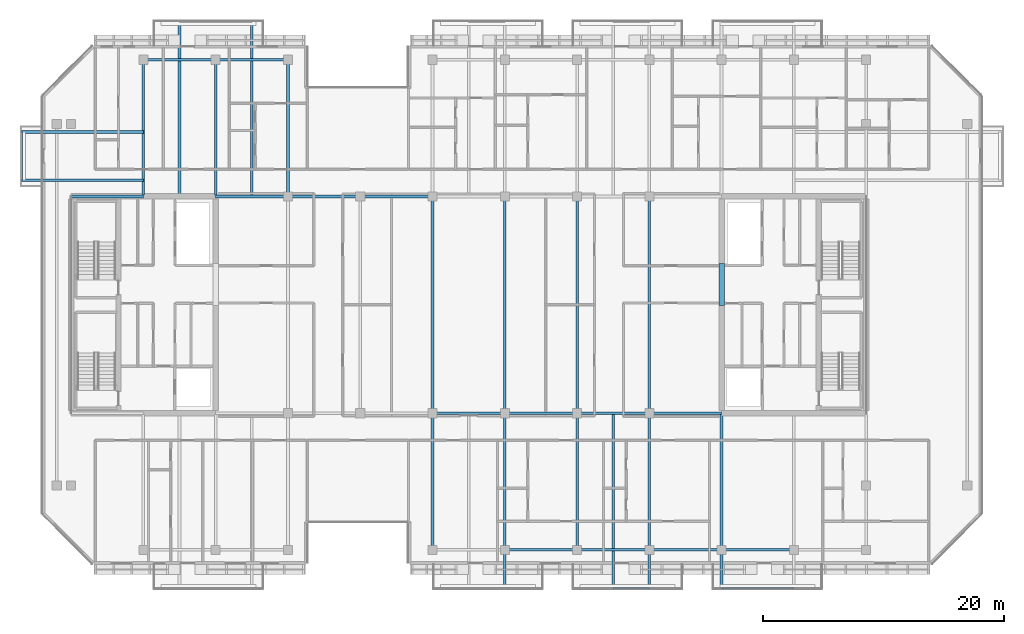
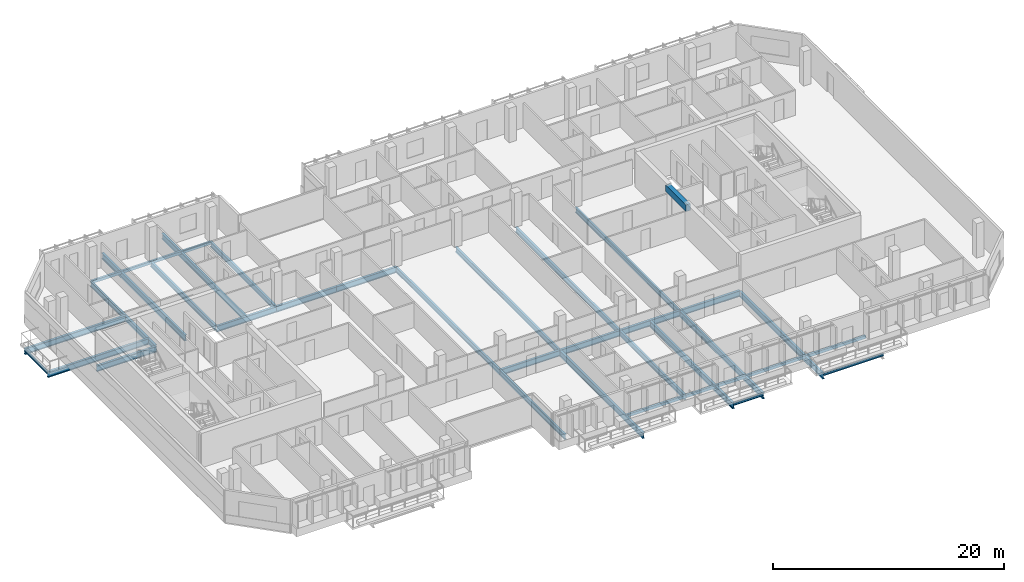
# One storey, part 5 of 23: 35 beams.
"""IFC4 building model written with IfcOpenShell, lengths in metres."""

import ifcopenshell
import ifcopenshell.guid

model = None  # the IFC model being written
_history = None  # IfcOwnerHistory: only IFC2X3 demands one
_inside = {}  # id of a spatial element -> (the spatial element, [elements in it])
_under = {}  # id of a project, library or spatial element -> (it, [spatial elements below it])
_declared = {}  # id of a project -> (the project, [libraries it declares])
_typed = {}  # id of a type object -> (the type object, [elements of that type])
_made_of = {}  # id of a material, layer set ... -> (it, [elements and type objects made of it])


def new_model(schema):
    """Start an empty IFC model of exactly this schema.

    Asked for "IFC4X3", IfcOpenShell would pick the latest addendum, in which some entities
    have other attributes; the version numbers below select the first issue.
    IFC2X3 requires an IfcOwnerHistory on every rooted entity: one is made here for all.
    """
    global model, _history
    if schema == "IFC4X3":
        model = ifcopenshell.file(schema_version=(4, 3, 0, 0))
    else:
        model = ifcopenshell.file(schema=schema)
    _inside.clear()
    _under.clear()
    _declared.clear()
    _typed.clear()
    _made_of.clear()
    _history = None
    if model.schema == "IFC2X3":
        org = make("IfcOrganization", Name="unknown")
        user = make(
            "IfcPersonAndOrganization",
            ThePerson=make("IfcPerson", FamilyName="unknown"),
            TheOrganization=org,
        )
        app = make(
            "IfcApplication",
            ApplicationDeveloper=org,
            Version="unknown",
            ApplicationFullName="unknown",
            ApplicationIdentifier="unknown",
        )
        _history = make(
            "IfcOwnerHistory",
            OwningUser=user,
            OwningApplication=app,
            ChangeAction="ADDED",
            CreationDate=0,
        )
    return model


def make(cls, **values):
    """One entity of the class cls with the attributes given. An attribute that is None is left unset."""
    return model.create_entity(
        cls, **{name: value for name, value in values.items() if value is not None}
    )


def rooted(cls, **values):
    """An entity with a GlobalId (a new one), such as an element, a storey or a relation."""
    return make(cls, GlobalId=ifcopenshell.guid.new(), OwnerHistory=_history, **values)


def si_unit(unit_type, name, prefix=None):
    """IfcSIUnit, for example si_unit("LENGTHUNIT", "METRE", prefix="MILLI")."""
    return make("IfcSIUnit", UnitType=unit_type, Prefix=prefix, Name=name)


def assignment(units):
    """IfcUnitAssignment: the units of a project."""
    return None if units is None else make("IfcUnitAssignment", Units=units)


def point(xyz):
    """IfcCartesianPoint."""
    return None if xyz is None else make("IfcCartesianPoint", Coordinates=xyz)


def direction(xyz):
    """IfcDirection."""
    return None if xyz is None else make("IfcDirection", DirectionRatios=xyz)


def frame(location, z_axis=None, x_axis=None):
    """IfcAxis2Placement3D, a coordinate frame: its origin and axes. An axis left out is left unset."""
    return make(
        "IfcAxis2Placement3D",
        Location=point(location),
        Axis=direction(z_axis),
        RefDirection=direction(x_axis),
    )


def frame_2d(location, x_axis=None):
    """IfcAxis2Placement2D, a coordinate frame in the plane: its origin and x axis."""
    return make(
        "IfcAxis2Placement2D", Location=point(location), RefDirection=direction(x_axis)
    )


def origin():
    """The frame at (0, 0, 0) with its axes left unset."""
    return frame((0.0, 0.0, 0.0))


def origin_2d():
    """The frame at (0, 0) in the plane with its x axis left unset."""
    return frame_2d((0.0, 0.0))


def place(relative_to, where):
    """IfcLocalPlacement: puts the frame where relative to a parent placement (None: the world)."""
    return make(
        "IfcLocalPlacement", PlacementRelTo=relative_to, RelativePlacement=where
    )


def context(
    kind, dimensions, precision=None, world=None, true_north=None, identifier=None
):
    """IfcGeometricRepresentationContext, for example the 3D "Model" context."""
    return make(
        "IfcGeometricRepresentationContext",
        ContextIdentifier=identifier,
        ContextType=kind,
        CoordinateSpaceDimension=dimensions,
        Precision=precision,
        WorldCoordinateSystem=world,
        TrueNorth=true_north,
    )


def subcontext(parent, identifier, kind, view, scale=None):
    """IfcGeometricRepresentationSubContext, for example "Body" below "Model"."""
    return make(
        "IfcGeometricRepresentationSubContext",
        ContextIdentifier=identifier,
        ContextType=kind,
        ParentContext=parent,
        TargetScale=scale,
        TargetView=view,
    )


def project(units=None, contexts=None):
    """IfcProject with its units and contexts."""
    return rooted(
        "IfcProject",
        Name="project",
        RepresentationContexts=contexts,
        UnitsInContext=assignment(units),
    )


def spatial(cls, under=None, at=None, **own):
    """A site, building, storey or space (cls), placed at a placement, below another one or the project."""
    s = rooted(cls, ObjectPlacement=at, **own)
    if under is not None:
        _under.setdefault(under.id(), (under, []))[1].append(s)
    return s


def profile(cls, at=None, kind="AREA", **sizes):
    """A parametric profile (cls). Its sizes go by their IFC names, for example OverallWidth=200.0."""
    return make(cls, ProfileType=kind, Position=at, **sizes)


def rectangle(**sizes):
    """IfcRectangleProfileDef."""
    return profile("IfcRectangleProfileDef", **sizes)


def hollow_rectangle(**sizes):
    """IfcRectangleHollowProfileDef."""
    return profile("IfcRectangleHollowProfileDef", **sizes)


def i_section(**sizes):
    """IfcIShapeProfileDef."""
    return profile("IfcIShapeProfileDef", **sizes)


def extrude(swept, where, along, depth):
    """IfcExtrudedAreaSolid: the profile swept, set in the frame where, extruded along a direction by depth."""
    return make(
        "IfcExtrudedAreaSolid",
        SweptArea=swept,
        Position=where,
        ExtrudedDirection=direction(along),
        Depth=depth,
    )


def shape(context_of_items, identifier, shape_type, items):
    """IfcShapeRepresentation: the items that make up one representation, for example the "Body"."""
    return make(
        "IfcShapeRepresentation",
        ContextOfItems=context_of_items,
        RepresentationIdentifier=identifier,
        RepresentationType=shape_type,
        Items=items,
    )


def material(Name=None, Category=None):
    """IfcMaterial."""
    return make("IfcMaterial", Name=Name, Category=Category)


def material_profile(
    of_material, cross_section, Name=None, Category=None, Priority=None
):
    """IfcMaterialProfile: a cross section and its material."""
    return make(
        "IfcMaterialProfile",
        Name=Name,
        Material=of_material,
        Profile=cross_section,
        Priority=Priority,
        Category=Category,
    )


def profile_set(profiles, Name=None, composite=None):
    """IfcMaterialProfileSet."""
    return make(
        "IfcMaterialProfileSet",
        Name=Name,
        MaterialProfiles=profiles,
        CompositeProfile=composite,
    )


def made_of(thing, what):
    """Note that an element or type object is made of a material, layer set ...; save() writes the relation."""
    if what is not None:
        _made_of.setdefault(what.id(), (what, []))[1].append(thing)
    return thing


def type_object(cls, material=None, **own):
    """A type object (cls), such as IfcWallType, which elements share."""
    return made_of(rooted(cls, **own), material)


def element(
    cls,
    number,
    at=None,
    inside=None,
    cuts=None,
    type_object=None,
    material=None,
    context=None,
    identifier="Body",
    shape_type=None,
    held_by="IfcProductDefinitionShape",
    body=None,
    shapes=None,
    **own,
):
    """One element of the class cls, such as IfcWall. Its Tag is "e" and its number.

    at: its placement. inside: the storey or other place that contains it. cuts: it is an
    opening in that element (IfcRelVoidsElement). A single representation is given by context,
    identifier, shape_type and body (its items); several are given by shapes. held_by: the class
    of the entity that holds the representations. save() writes the other relations.
    """
    e = rooted(cls, Tag="e%d" % number, ObjectPlacement=at, **own)
    if body is not None:
        shapes = [shape(context, identifier, shape_type, body)]
    if shapes is not None:
        e.Representation = make(held_by, Representations=shapes)
    if inside is not None:
        _inside.setdefault(inside.id(), (inside, []))[1].append(e)
    if cuts is not None:
        rooted(
            "IfcRelVoidsElement", RelatingBuildingElement=cuts, RelatedOpeningElement=e
        )
    if type_object is not None:
        _typed.setdefault(type_object.id(), (type_object, []))[1].append(e)
    return made_of(e, material)


def aggregate(whole, parts):
    """IfcRelAggregates: a whole, such as a stair, and the parts it consists of."""
    return rooted("IfcRelAggregates", RelatingObject=whole, RelatedObjects=parts)


def save(model, path):
    """Write the relations noted so far, then the file.

    IfcRelAggregates (storeys below a building ...), IfcRelContainedInSpatialStructure (elements
    in a storey), IfcRelDefinesByType, IfcRelAssociatesMaterial and IfcRelDeclares: one each for
    every whole, place, type object, material and project.
    """
    for whole, parts in _under.values():
        aggregate(whole, parts)
    for where, things in _inside.values():
        rooted(
            "IfcRelContainedInSpatialStructure",
            RelatedElements=things,
            RelatingStructure=where,
        )
    for kind, things in _typed.values():
        rooted("IfcRelDefinesByType", RelatedObjects=things, RelatingType=kind)
    for what, things in _made_of.values():
        rooted("IfcRelAssociatesMaterial", RelatedObjects=things, RelatingMaterial=what)
    for by, libraries in _declared.values():
        rooted("IfcRelDeclares", RelatingContext=by, RelatedDefinitions=libraries)
    model.write(path)


model = new_model("IFC4")

# Units and contexts
model_context = context("Model", 3, precision=1e-05, world=origin(), true_north=direction((0.0, 1.0)))
body_context = subcontext(model_context, "Body", "Model", "MODEL_VIEW")
ifc_project = project(units=[si_unit("LENGTHUNIT", "METRE"), si_unit("AREAUNIT", "SQUARE_METRE"), si_unit("VOLUMEUNIT", "CUBIC_METRE"), si_unit("PLANEANGLEUNIT", "RADIAN"), si_unit("MASSUNIT", "GRAM", prefix="KILO")], contexts=[model_context])

# Site, building, storey
site_placement = place(None, origin())
site = spatial("IfcSite", under=ifc_project, at=site_placement, CompositionType="ELEMENT")
building_placement = place(site_placement, origin())
building = spatial("IfcBuilding", under=site, at=building_placement, Name="Tanjung Sevakor Pilgrim Tower", CompositionType="ELEMENT")
storey_placement = place(building_placement, frame((0.0, 0.0, 215.489990234375)))
storey = spatial("IfcBuildingStorey", under=building, at=storey_placement, Name="L60", CompositionType="ELEMENT", Elevation=215.489990234375)

# Beams
ifc_material_1 = material(Name="Steel S355J2", Category="steel")
ifc_material_profile_1 = material_profile(ifc_material_1, i_section(OverallWidth=0.22900390625, OverallDepth=0.6123046875, WebThickness=0.011962890625, FlangeThickness=0.01953125, FilletRadius=0.0126953125, at=origin_2d()))
ifc_profile_set_1 = profile_set([ifc_material_profile_1], Name="Steel S355J2")
beam_type_1 = type_object("IfcBeamType", Name="BM-B-G4-UB_610x229x125", PredefinedType="BEAM", material=ifc_profile_set_1)
for number, where, z_axis, x_axis, name in (
    (1, (30.0, 43.949951171875, -0.526123046875), (-1.0, 0.0, 0.0), (0.0, -1.0, 0.0), "L60 Balcony Overhanging Beam MAIN-W1-1"),
    (2, (30.0, 47.949951171875, -0.526123046875), (-1.0, 0.0, 0.0), (0.0, -1.0, 0.0), "L60 Balcony Overhanging Beam MAIN-W1-2"),
):
    element("IfcBeam", number, at=place(storey_placement, frame(where, z_axis=z_axis, x_axis=x_axis)), inside=storey, type_object=beam_type_1, Name=name, PredefinedType="BEAM", context=body_context, shape_type="SweptSolid", body=[
        extrude(i_section(OverallWidth=0.22900390625, OverallDepth=0.6123046875, WebThickness=0.011962890625, FlangeThickness=0.01953125, FilletRadius=0.0126953125, at=origin_2d()), origin(), (0.0, 0.0, 1.0), 10.1298828125),
    ])
for number, where, z_axis, x_axis, name in (
    (3, (54.0, 24.60009765625, -0.526123046875), (1.0, 0.0, 0.0), (0.0, 1.0, 0.0), "L60 Primary Floor Girder MAIN Y246-05"),
    (4, (60.0, 24.60009765625, -0.526123046875), (1.0, 0.0, 0.0), (0.0, 1.0, 0.0), "L60 Primary Floor Girder MAIN Y246-06"),
    (5, (66.0, 24.60009765625, -0.526123046875), (1.0, 0.0, 0.0), (0.0, 1.0, 0.0), "L60 Primary Floor Girder MAIN Y246-07"),
    (6, (72.0, 24.60009765625, -0.526123046875), (1.0, 0.0, 0.0), (0.0, 1.0, 0.0), "L60 Primary Floor Girder MAIN Y246-08"),
    (7, (24.0, 42.60009765625, -0.526123046875), (1.0, 0.0, 0.0), (0.0, 1.0, 0.0), "L60 Primary Floor Girder MAIN Y426-01"),
    (8, (36.0, 42.60009765625, -0.526123046875), (1.0, 0.0, 0.0), (0.0, 1.0, 0.0), "L60 Primary Floor Girder MAIN Y426-02"),
    (9, (42.0, 42.60009765625, -0.526123046875), (1.0, 0.0, 0.0), (0.0, 1.0, 0.0), "L60 Primary Floor Girder MAIN Y426-03"),
    (10, (48.0, 42.60009765625, -0.526123046875), (1.0, 0.0, 0.0), (0.0, 1.0, 0.0), "L60 Primary Floor Girder MAIN Y426-04"),
):
    element("IfcBeam", number, at=place(storey_placement, frame(where, z_axis=z_axis, x_axis=x_axis)), inside=storey, type_object=beam_type_1, Name=name, PredefinedType="BEAM", context=body_context, shape_type="SweptSolid", body=[
        extrude(i_section(OverallWidth=0.22900390625, OverallDepth=0.6123046875, WebThickness=0.011962890625, FlangeThickness=0.01953125, FilletRadius=0.0126953125, at=origin_2d()), origin(), (0.0, 0.0, 1.0), 6.0),
    ])
for number, where, z_axis, x_axis, name in (
    (11, (33.0, 42.714599609375, -0.526123046875), (0.0, 1.0, 0.0), (-1.0, 0.0, 0.0), "L60 Balcony Cantilever Beam MAIN-N1-1"),
    (12, (39.0, 42.714599609375, -0.526123046875), (0.0, 1.0, 0.0), (-1.0, 0.0, 0.0), "L60 Balcony Cantilever Beam MAIN-N1-2"),
):
    element("IfcBeam", number, at=place(storey_placement, frame(where, z_axis=z_axis, x_axis=x_axis)), inside=storey, type_object=beam_type_1, Name=name, PredefinedType="BEAM", context=body_context, shape_type="SweptSolid", body=[
        extrude(i_section(OverallWidth=0.22900390625, OverallDepth=0.6123046875, WebThickness=0.011962890625, FlangeThickness=0.01953125, FilletRadius=0.0126953125, at=origin_2d()), origin(), (0.0, 0.0, 1.0), 14.415283203125),
    ])
beam_1_placement = place(storey_placement, frame((60.0, 24.60009765625, -0.526123046875), z_axis=(0.0, -1.0, 0.0), x_axis=(1.0, 0.0, 0.0)))
element("IfcBeam", 13, at=beam_1_placement, inside=storey, type_object=beam_type_1, Name="L60 Balcony Cantilever Beam MAIN-S2-2", PredefinedType="BEAM", context=body_context, shape_type="SweptSolid", body=[
    extrude(i_section(OverallWidth=0.22900390625, OverallDepth=0.6123046875, WebThickness=0.011962890625, FlangeThickness=0.01953125, FilletRadius=0.0126953125, at=origin_2d()), origin(), (0.0, 0.0, 1.0), 14.530029296875),
])
beam_2_placement = place(storey_placement, frame((69.0, 24.485595703125, -0.526123046875), z_axis=(0.0, -1.0, 0.0), x_axis=(1.0, 0.0, 0.0)))
element("IfcBeam", 14, at=beam_2_placement, inside=storey, type_object=beam_type_1, Name="L60 Balcony Cantilever Beam MAIN-S3-1", PredefinedType="BEAM", context=body_context, shape_type="SweptSolid", body=[
    extrude(i_section(OverallWidth=0.22900390625, OverallDepth=0.6123046875, WebThickness=0.011962890625, FlangeThickness=0.01953125, FilletRadius=0.0126953125, at=origin_2d()), origin(), (0.0, 0.0, 1.0), 14.41552734375),
])
beam_3_placement = place(storey_placement, frame((72.0, 24.60009765625, -0.526123046875), z_axis=(0.0, -1.0, 0.0), x_axis=(1.0, 0.0, 0.0)))
element("IfcBeam", 15, at=beam_3_placement, inside=storey, type_object=beam_type_1, Name="L60 Balcony Cantilever Beam MAIN-S3-2", PredefinedType="BEAM", context=body_context, shape_type="SweptSolid", body=[
    extrude(i_section(OverallWidth=0.22900390625, OverallDepth=0.6123046875, WebThickness=0.011962890625, FlangeThickness=0.01953125, FilletRadius=0.0126953125, at=origin_2d()), origin(), (0.0, 0.0, 1.0), 14.530029296875),
])
beam_4_placement = place(storey_placement, frame((78.0, 24.485595703125, -0.526123046875), z_axis=(0.0, -1.0, 0.0), x_axis=(1.0, 0.0, 0.0)))
element("IfcBeam", 16, at=beam_4_placement, inside=storey, type_object=beam_type_1, Name="L60 Balcony Cantilever Beam MAIN-S4-1", PredefinedType="BEAM", context=body_context, shape_type="SweptSolid", body=[
    extrude(i_section(OverallWidth=0.22900390625, OverallDepth=0.6123046875, WebThickness=0.011962890625, FlangeThickness=0.01953125, FilletRadius=0.0126953125, at=origin_2d()), origin(), (0.0, 0.0, 1.0), 14.41552734375),
])
ifc_material_2 = material(Name="Steel S355J2", Category="steel")
ifc_material_profile_2 = material_profile(ifc_material_2, i_section(OverallWidth=0.2119140625, OverallDepth=0.54443359375, WebThickness=0.0126953125, FlangeThickness=0.021240234375, FilletRadius=0.0126953125, at=origin_2d()))
ifc_profile_set_2 = profile_set([ifc_material_profile_2], Name="Steel S355J2")
beam_type_2 = type_object("IfcBeamType", Name="BM-B-G5-UB_533x210x122", PredefinedType="BEAM", material=ifc_profile_set_2)
for number, where, z_axis, x_axis, name in (
    (17, (30.0, 42.714599609375, -0.4921875), (0.0, 1.0, 0.0), (-1.0, 0.0, 0.0), "L60 MAIN Girder 002"),
    (18, (36.0, 42.714599609375, -0.4921875), (0.0, 1.0, 0.0), (-1.0, 0.0, 0.0), "L60 MAIN Girder 004"),
):
    element("IfcBeam", number, at=place(storey_placement, frame(where, z_axis=z_axis, x_axis=x_axis)), inside=storey, type_object=beam_type_2, Name=name, PredefinedType="BEAM", context=body_context, shape_type="SweptSolid", body=[
        extrude(i_section(OverallWidth=0.2119140625, OverallDepth=0.54443359375, WebThickness=0.0126953125, FlangeThickness=0.021240234375, FilletRadius=0.0126953125, at=origin_2d()), origin(), (0.0, 0.0, 1.0), 11.2353515625),
    ])
beam_5_placement = place(storey_placement, frame((42.0, 42.60009765625, -0.4921875), z_axis=(0.0, 1.0, 0.0), x_axis=(-1.0, 0.0, 0.0)))
element("IfcBeam", 19, at=beam_5_placement, inside=storey, type_object=beam_type_2, Name="L60 MAIN Girder 007", PredefinedType="BEAM", context=body_context, shape_type="SweptSolid", body=[
    extrude(i_section(OverallWidth=0.2119140625, OverallDepth=0.54443359375, WebThickness=0.0126953125, FlangeThickness=0.021240234375, FilletRadius=0.0126953125, at=origin_2d()), origin(), (0.0, 0.0, 1.0), 11.349853515625),
])
beam_6_placement = place(storey_placement, frame((54.0, 13.25, -0.4921875), z_axis=(0.0, 1.0, 0.0), x_axis=(-1.0, 0.0, 0.0)))
element("IfcBeam", 20, at=beam_6_placement, inside=storey, type_object=beam_type_2, Name="L60 MAIN Girder 009", PredefinedType="BEAM", context=body_context, shape_type="SweptSolid", body=[
    extrude(i_section(OverallWidth=0.2119140625, OverallDepth=0.54443359375, WebThickness=0.0126953125, FlangeThickness=0.021240234375, FilletRadius=0.0126953125, at=origin_2d()), origin(), (0.0, 0.0, 1.0), 11.35009765625),
])
for number, where, z_axis, x_axis, name in (
    (21, (54.0, 24.60009765625, -0.4921875), (0.0, 1.0, 0.0), (-1.0, 0.0, 0.0), "L60 MAIN Girder 010"),
    (22, (60.0, 24.60009765625, -0.4921875), (0.0, 1.0, 0.0), (-1.0, 0.0, 0.0), "L60 MAIN Girder 012"),
):
    element("IfcBeam", number, at=place(storey_placement, frame(where, z_axis=z_axis, x_axis=x_axis)), inside=storey, type_object=beam_type_2, Name=name, PredefinedType="BEAM", context=body_context, shape_type="SweptSolid", body=[
        extrude(i_section(OverallWidth=0.2119140625, OverallDepth=0.54443359375, WebThickness=0.0126953125, FlangeThickness=0.021240234375, FilletRadius=0.0126953125, at=origin_2d()), origin(), (0.0, 0.0, 1.0), 18.0),
    ])
beam_7_placement = place(storey_placement, frame((66.0, 13.25, -0.4921875), z_axis=(0.0, 1.0, 0.0), x_axis=(-1.0, 0.0, 0.0)))
element("IfcBeam", 23, at=beam_7_placement, inside=storey, type_object=beam_type_2, Name="L60 MAIN Girder 013", PredefinedType="BEAM", context=body_context, shape_type="SweptSolid", body=[
    extrude(i_section(OverallWidth=0.2119140625, OverallDepth=0.54443359375, WebThickness=0.0126953125, FlangeThickness=0.021240234375, FilletRadius=0.0126953125, at=origin_2d()), origin(), (0.0, 0.0, 1.0), 11.35009765625),
])
for number, where, z_axis, x_axis, name in (
    (24, (66.0, 24.60009765625, -0.4921875), (0.0, 1.0, 0.0), (-1.0, 0.0, 0.0), "L60 MAIN Girder 014"),
    (25, (72.0, 24.60009765625, -0.4921875), (0.0, 1.0, 0.0), (-1.0, 0.0, 0.0), "L60 MAIN Girder 016"),
):
    element("IfcBeam", number, at=place(storey_placement, frame(where, z_axis=z_axis, x_axis=x_axis)), inside=storey, type_object=beam_type_2, Name=name, PredefinedType="BEAM", context=body_context, shape_type="SweptSolid", body=[
        extrude(i_section(OverallWidth=0.2119140625, OverallDepth=0.54443359375, WebThickness=0.0126953125, FlangeThickness=0.021240234375, FilletRadius=0.0126953125, at=origin_2d()), origin(), (0.0, 0.0, 1.0), 18.0),
    ])
ifc_material_3 = material(Name="Steel S355J2", Category="steel")
ifc_material_profile_3 = material_profile(ifc_material_3, i_section(OverallWidth=0.146484375, OverallDepth=0.256103515625, WebThickness=0.00634765625, FlangeThickness=0.010986328125, FilletRadius=0.007568359375, at=origin_2d()))
ifc_profile_set_3 = profile_set([ifc_material_profile_3], Name="Steel S355J2")
beam_type_3 = type_object("IfcBeamType", Name="BM-B-J6-UB_254x146x37", PredefinedType="JOIST", material=ifc_profile_set_3)
beam_8_placement = place(storey_placement, frame((69.0, 10.070068359375, -0.327880859375), z_axis=(1.0, 0.0, 0.0), x_axis=(0.0, 1.0, 0.0)))
element("IfcBeam", 26, at=beam_8_placement, inside=storey, type_object=beam_type_3, Name="L60 Balcony Rim Tie MAIN-S3", PredefinedType="JOIST", context=body_context, shape_type="SweptSolid", body=[
    extrude(i_section(OverallWidth=0.146484375, OverallDepth=0.256103515625, WebThickness=0.00634765625, FlangeThickness=0.010986328125, FilletRadius=0.007568359375, at=origin_2d()), origin(), (0.0, 0.0, 1.0), 3.0),
])
beam_9_placement = place(storey_placement, frame((78.0, 10.070068359375, -0.327880859375), z_axis=(1.0, 0.0, 0.0), x_axis=(0.0, 1.0, 0.0)))
element("IfcBeam", 27, at=beam_9_placement, inside=storey, type_object=beam_type_3, Name="L60 Balcony Rim Tie MAIN-S4", PredefinedType="JOIST", context=body_context, shape_type="SweptSolid", body=[
    extrude(i_section(OverallWidth=0.146484375, OverallDepth=0.256103515625, WebThickness=0.00634765625, FlangeThickness=0.010986328125, FilletRadius=0.007568359375, at=origin_2d()), origin(), (0.0, 0.0, 1.0), 6.0),
])
beam_10_placement = place(storey_placement, frame((19.8701171875, 43.949951171875, -0.327880859375), z_axis=(0.0, 1.0, 0.0), x_axis=(-1.0, 0.0, 0.0)))
element("IfcBeam", 28, at=beam_10_placement, inside=storey, type_object=beam_type_3, Name="L60 Balcony Rim Tie MAIN-W1", PredefinedType="JOIST", context=body_context, shape_type="SweptSolid", body=[
    extrude(i_section(OverallWidth=0.146484375, OverallDepth=0.256103515625, WebThickness=0.00634765625, FlangeThickness=0.010986328125, FilletRadius=0.007568359375, at=origin_2d()), origin(), (0.0, 0.0, 1.0), 4.0),
])
ifc_material_4 = material(Name="Concrete C60/75", Category="concrete")
ifc_material_profile_4 = material_profile(ifc_material_4, rectangle(XDim=0.449951171875, YDim=0.699951171875, at=origin_2d()))
ifc_profile_set_4 = profile_set([ifc_material_profile_4], Name="Concrete C60/75")
beam_type_4 = type_object("IfcBeamType", Name="BM-B-LN3-RC-BM_450x700", PredefinedType="LINTEL", material=ifc_profile_set_4)
beam_11_placement = place(storey_placement, frame((78.0, 33.550048828125, 3.06005859375), z_axis=(0.0, 1.0, 0.0), x_axis=(-1.0, 0.0, 0.0)))
element("IfcBeam", 29, at=beam_11_placement, inside=storey, type_object=beam_type_4, Name="L60 E Core Coupling Lintel", PredefinedType="LINTEL", context=body_context, shape_type="SweptSolid", body=[
    extrude(rectangle(XDim=0.449951171875, YDim=0.699951171875, at=origin_2d()), origin(), (0.0, 0.0, 1.0), 3.5),
])
ifc_material_5 = material(Name="Steel S355J2", Category="steel")
ifc_material_profile_5 = material_profile(ifc_material_5, hollow_rectangle(XDim=0.199951171875, YDim=0.300048828125, WallThickness=0.012451171875, at=origin_2d()))
ifc_profile_set_5 = profile_set([ifc_material_profile_5], Name="Steel S355J2")
beam_type_5 = type_object("IfcBeamType", Name="BM-B-SP3-RHS_300x200x12.5", PredefinedType="SPANDREL", material=ifc_profile_set_5)
for number, where, z_axis, x_axis, name in (
    (30, (30.0, 53.949951171875, -0.369873046875), (1.0, 0.0, 0.0), (0.0, 1.0, 0.0), "L60 Spandrel MAIN N-02"),
    (31, (36.0, 53.949951171875, -0.369873046875), (1.0, 0.0, 0.0), (0.0, 1.0, 0.0), "L60 Spandrel MAIN N-04"),
    (32, (60.0, 13.25, -0.369873046875), (1.0, 0.0, 0.0), (0.0, 1.0, 0.0), "L60 Spandrel MAIN S-07"),
    (33, (66.0, 13.25, -0.369873046875), (1.0, 0.0, 0.0), (0.0, 1.0, 0.0), "L60 Spandrel MAIN S-09"),
    (34, (72.0, 13.25, -0.369873046875), (1.0, 0.0, 0.0), (0.0, 1.0, 0.0), "L60 Spandrel MAIN S-11"),
    (35, (78.0, 13.25, -0.369873046875), (1.0, 0.0, 0.0), (0.0, 1.0, 0.0), "L60 Spandrel MAIN S-13"),
):
    element("IfcBeam", number, at=place(storey_placement, frame(where, z_axis=z_axis, x_axis=x_axis)), inside=storey, type_object=beam_type_5, Name=name, PredefinedType="SPANDREL", context=body_context, shape_type="SweptSolid", body=[
        extrude(hollow_rectangle(XDim=0.199951171875, YDim=0.300048828125, WallThickness=0.012451171875, at=origin_2d()), origin(), (0.0, 0.0, 1.0), 6.0),
    ])

save(model, "model.ifc")
